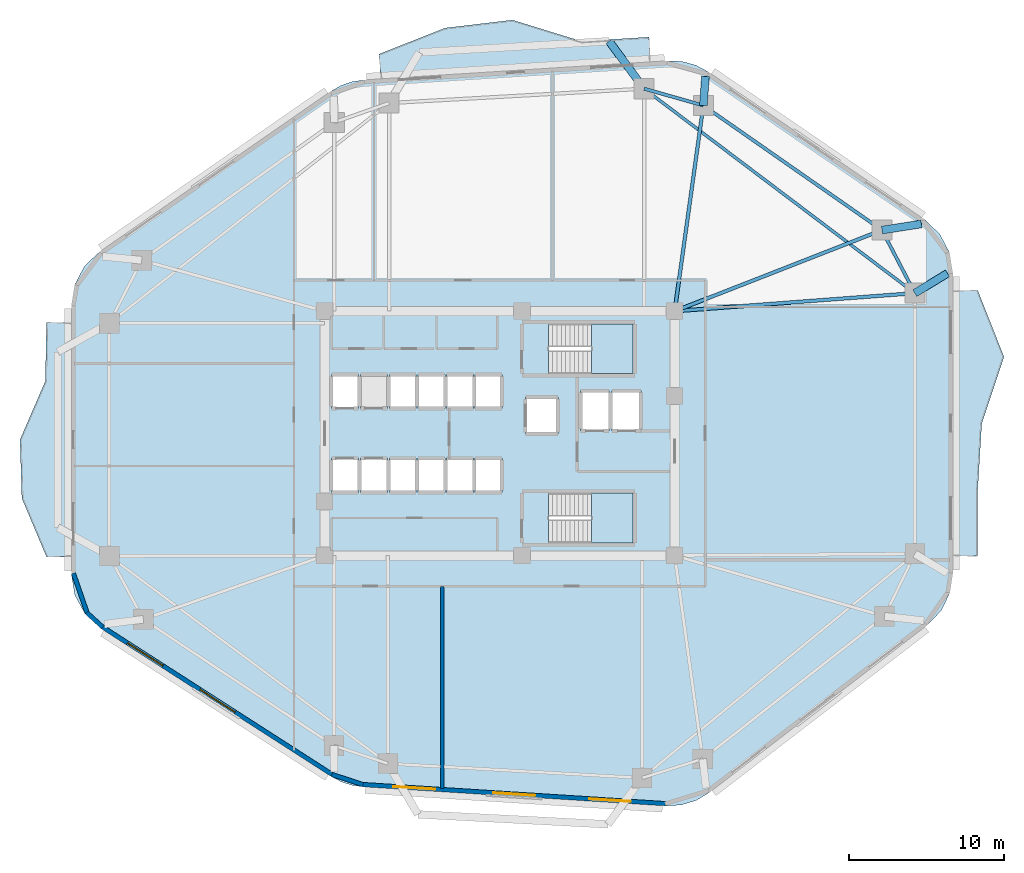
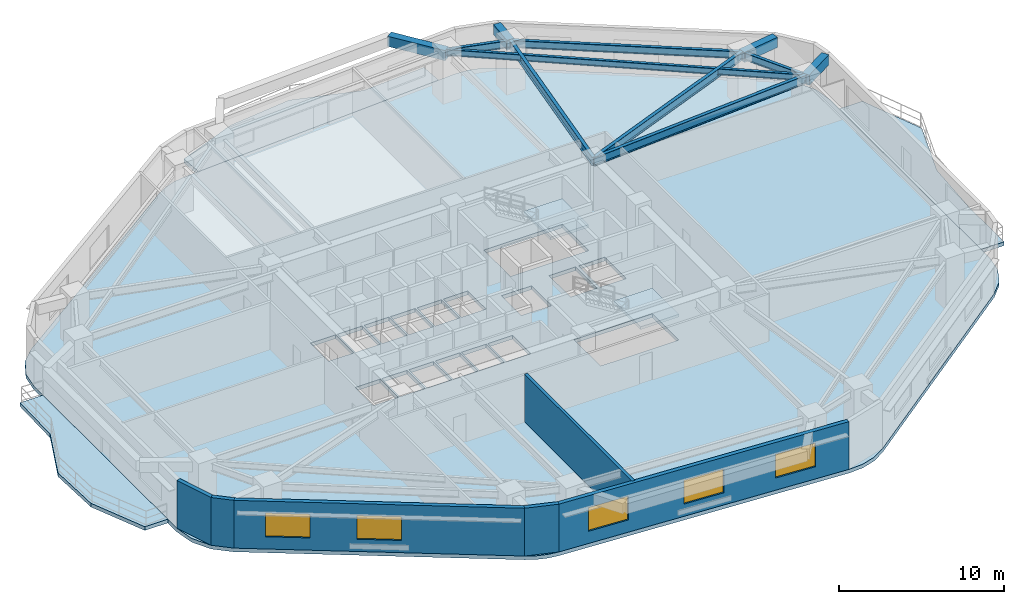
# One storey, part 2 of 10: 11 beams, 6 slabs, 6 walls, 5 windows, 5 openings, 2 elements without a shape of their own.
"""IFC4 building model written with IfcOpenShell, lengths in metres."""

from ifc_helpers import new_model, si_unit, direction, frame, frame_2d, origin, origin_2d, place, context, subcontext, project, spatial, polyline, rectangle, i_section, outline, extrude, material, layer, layer_set, material_profile, profile_set, type_object, element, fill, aggregate, save


model = new_model("IFC4")

# Units and contexts
model_context = context("Model", 3, precision=1e-05, world=origin(), true_north=direction((0.0, 1.0)))
body_context = subcontext(model_context, "Body", "Model", "MODEL_VIEW")
ifc_project = project(units=[si_unit("LENGTHUNIT", "METRE"), si_unit("AREAUNIT", "SQUARE_METRE"), si_unit("VOLUMEUNIT", "CUBIC_METRE"), si_unit("PLANEANGLEUNIT", "RADIAN"), si_unit("MASSUNIT", "GRAM", prefix="KILO")], contexts=[model_context])

# Site, building, storey
site_placement = place(None, origin())
site = spatial("IfcSite", under=ifc_project, at=site_placement, CompositionType="ELEMENT")
building_placement = place(site_placement, origin())
building = spatial("IfcBuilding", under=site, at=building_placement, Name="Zulverin Broadcast Headquarters", CompositionType="ELEMENT")
storey_placement = place(building_placement, frame((0.0, 0.0, 36.39990234375)))
storey = spatial("IfcBuildingStorey", under=building, at=storey_placement, Name="L08", CompositionType="ELEMENT", Elevation=36.39990234375)

# Beams
ifc_material_1 = material(Name="Concrete C40/50", Category="concrete")
ifc_material_profile_1 = material_profile(ifc_material_1, rectangle(XDim=0.5, YDim=0.75, at=origin_2d()), Name="Concrete C40/50", Category="concrete")
ifc_profile_set_1 = profile_set([ifc_material_profile_1], Name="Concrete C40/50")
beam_type_1 = type_object("IfcBeamType", Name="BM-RC-500x750", PredefinedType="BEAM", material=ifc_profile_set_1)
beam_1_placement = place(storey_placement, frame((63.75, 34.235107421875, 3.150146484375), z_axis=(0.854022127196, 0.520236682924, 0.0), x_axis=(-0.520236682924, 0.854022127196, 0.0)))
element("IfcBeam", 1, at=beam_1_placement, inside=storey, type_object=beam_type_1, Name="L09 Plate Overhang Back-Spanned Beam OVR-06", PredefinedType="BEAM", context=body_context, shape_type="SweptSolid", body=[
    extrude(rectangle(XDim=0.5, YDim=0.75, at=origin_2d()), origin(), (0.0, 0.0, 1.0), 2.458984375),
])
beam_2_placement = place(storey_placement, frame((61.630126953125, 38.298583984375, 3.150146484375), z_axis=(0.988133444256, 0.153597839639, 0.0), x_axis=(-0.153597839639, 0.988133444256, 0.0)))
element("IfcBeam", 2, at=beam_2_placement, inside=storey, type_object=beam_type_1, Name="L09 Plate Overhang Back-Spanned Beam OVR-07", PredefinedType="BEAM", context=body_context, shape_type="SweptSolid", body=[
    extrude(rectangle(XDim=0.5, YDim=0.75, at=origin_2d()), origin(), (0.0, 0.0, 1.0), 2.57177734375),
])
beam_3_placement = place(storey_placement, frame((50.121826171875, 46.325927734375, 3.150146484375), z_axis=(0.073023006252, 0.997330256514, 0.0), x_axis=(-0.997330256514, 0.073023006252, 0.0)))
element("IfcBeam", 3, at=beam_3_placement, inside=storey, type_object=beam_type_1, Name="L09 Plate Overhang Back-Spanned Beam OVR-08", PredefinedType="BEAM", context=body_context, shape_type="SweptSolid", body=[
    extrude(rectangle(XDim=0.5, YDim=0.75, at=origin_2d()), origin(), (0.0, 0.0, 1.0), 1.875732421875),
])
beam_4_placement = place(storey_placement, frame((46.30224609375, 47.4091796875, 3.150146484375), z_axis=(-0.592925064887, 0.805257640404, 0.0), x_axis=(-0.805257640404, -0.592925064887, 0.0)))
element("IfcBeam", 4, at=beam_4_placement, inside=storey, type_object=beam_type_1, Name="L09 Balcony Column-Framed Cantilever BAL_N-1", PredefinedType="BEAM", context=body_context, shape_type="SweptSolid", body=[
    extrude(rectangle(XDim=0.5, YDim=0.75, at=origin_2d()), origin(), (0.0, 0.0, 1.0), 3.800048828125),
])
ifc_material_2 = material(Name="Structural steel S355JR", Category="steel")
ifc_material_profile_2 = material_profile(ifc_material_2, i_section(OverallWidth=0.19287109375, OverallDepth=0.46728515625, WebThickness=0.011474609375, FlangeThickness=0.01953125, at=origin_2d()), Name="Structural steel S355JR", Category="steel")
ifc_profile_set_2 = profile_set([ifc_material_profile_2], Name="Structural steel S355JR")
beam_type_2 = type_object("IfcBeamType", Name="BM-UB-457", PredefinedType="JOIST", material=ifc_profile_set_2)
beam_5_placement = place(storey_placement, frame((63.75, 34.235107421875, 3.29150390625), z_axis=(-0.798058136838, 0.602580459546, 0.0), x_axis=(-0.602580459546, -0.798058136838, 0.0)))
element("IfcBeam", 5, at=beam_5_placement, inside=storey, type_object=beam_type_2, Name="L08 Chordal Floor Joist J-02", PredefinedType="JOIST", context=body_context, shape_type="SweptSolid", body=[
    extrude(i_section(OverallWidth=0.19287109375, OverallDepth=0.46728515625, WebThickness=0.011474609375, FlangeThickness=0.01953125, at=origin_2d()), origin(), (0.0, 0.0, 1.0), 21.86279296875),
])
ifc_material_profile_3 = material_profile(ifc_material_2, i_section(OverallWidth=0.2119140625, OverallDepth=0.54443359375, WebThickness=0.0126953125, FlangeThickness=0.021240234375, at=origin_2d()), Name="Structural steel S355JR", Category="steel")
ifc_profile_set_3 = profile_set([ifc_material_profile_3], Name="Structural steel S355JR")
beam_type_3 = type_object("IfcBeamType", Name="BM-UB-533", PredefinedType="SPANDREL", material=ifc_profile_set_3)
beam_6_placement = place(storey_placement, frame((63.75, 34.235107421875, 3.252685546875), z_axis=(-0.462531417359, 0.886602891917, 0.0), x_axis=(-0.886602891917, -0.462531417359, 0.0)))
element("IfcBeam", 6, at=beam_6_placement, inside=storey, type_object=beam_type_3, Name="L08 Perimeter Spandrel Beam SP-06", PredefinedType="SPANDREL", context=body_context, shape_type="SweptSolid", body=[
    extrude(i_section(OverallWidth=0.2119140625, OverallDepth=0.54443359375, WebThickness=0.0126953125, FlangeThickness=0.021240234375, at=origin_2d()), origin(), (0.0, 0.0, 1.0), 4.583251953125),
])
beam_7_placement = place(storey_placement, frame((61.630126953125, 38.298583984375, 3.252685546875), z_axis=(-0.820183915206, 0.5720999434, 0.0), x_axis=(-0.5720999434, -0.820183915206, 0.0)))
element("IfcBeam", 7, at=beam_7_placement, inside=storey, type_object=beam_type_3, Name="L08 Perimeter Spandrel Beam SP-07", PredefinedType="SPANDREL", context=body_context, shape_type="SweptSolid", body=[
    extrude(i_section(OverallWidth=0.2119140625, OverallDepth=0.54443359375, WebThickness=0.0126953125, FlangeThickness=0.021240234375, at=origin_2d()), origin(), (0.0, 0.0, 1.0), 14.03125),
])
beam_8_placement = place(storey_placement, frame((50.121826171875, 46.325927734375, 3.252685546875), z_axis=(-0.962058150721, 0.272844487999, 0.0), x_axis=(-0.272844487999, -0.962058150721, 0.0)))
element("IfcBeam", 8, at=beam_8_placement, inside=storey, type_object=beam_type_3, Name="L08 Perimeter Spandrel Beam SP-08", PredefinedType="SPANDREL", context=body_context, shape_type="SweptSolid", body=[
    extrude(i_section(OverallWidth=0.2119140625, OverallDepth=0.54443359375, WebThickness=0.0126953125, FlangeThickness=0.021240234375, at=origin_2d()), origin(), (0.0, 0.0, 1.0), 3.97021484375),
])
ifc_material_profile_4 = material_profile(ifc_material_2, i_section(OverallWidth=0.230224609375, OverallDepth=0.6171875, WebThickness=0.01318359375, FlangeThickness=0.022216796875, at=origin_2d()), Name="Structural steel S355JR", Category="steel")
ifc_profile_set_4 = profile_set([ifc_material_profile_4], Name="Structural steel S355JR")
beam_type_4 = type_object("IfcBeamType", Name="BM-UB-610", PredefinedType="BEAM", material=ifc_profile_set_4)
beam_9_placement = place(storey_placement, frame((48.27490234375, 33.074951171875, 3.216552734375), z_axis=(0.997201597387, 0.074759442003, 0.0), x_axis=(-0.074759442003, 0.997201597387, 0.0)))
element("IfcBeam", 9, at=beam_9_placement, inside=storey, type_object=beam_type_4, Name="L08 Radial Primary Floor Beam RB-06", PredefinedType="BEAM", context=body_context, shape_type="SweptSolid", body=[
    extrude(i_section(OverallWidth=0.230224609375, OverallDepth=0.6171875, WebThickness=0.01318359375, FlangeThickness=0.022216796875, at=origin_2d()), origin(), (0.0, 0.0, 1.0), 15.5185546875),
])
beam_10_placement = place(storey_placement, frame((48.27490234375, 33.074951171875, 3.216552734375), z_axis=(0.931297778153, 0.364258765723, 0.0), x_axis=(-0.364258765723, 0.931297778153, 0.0)))
element("IfcBeam", 10, at=beam_10_placement, inside=storey, type_object=beam_type_4, Name="L08 Radial Primary Floor Beam RB-07", PredefinedType="BEAM", context=body_context, shape_type="SweptSolid", body=[
    extrude(i_section(OverallWidth=0.230224609375, OverallDepth=0.6171875, WebThickness=0.01318359375, FlangeThickness=0.022216796875, at=origin_2d()), origin(), (0.0, 0.0, 1.0), 14.34033203125),
])
beam_11_placement = place(storey_placement, frame((48.27490234375, 33.074951171875, 3.216552734375), z_axis=(0.138045758193, 0.990425852169, 0.0), x_axis=(-0.990425852169, 0.138045758193, 0.0)))
element("IfcBeam", 11, at=beam_11_placement, inside=storey, type_object=beam_type_4, Name="L08 Radial Primary Floor Beam RB-08", PredefinedType="BEAM", context=body_context, shape_type="SweptSolid", body=[
    extrude(i_section(OverallWidth=0.230224609375, OverallDepth=0.6171875, WebThickness=0.01318359375, FlangeThickness=0.022216796875, at=origin_2d()), origin(), (0.0, 0.0, 1.0), 13.379150390625),
])

# Slabs
ifc_layer_1 = layer(ifc_material_1, 0.27490234375, Name="Concrete C40/50", Category="concrete")
ifc_layer_set_1 = layer_set([ifc_layer_1], Name="Concrete C40/50")
slab_type_1 = type_object("IfcSlabType", Name="SLB-BAL-275", PredefinedType="FLOOR", material=ifc_layer_set_1)
slab_1_placement = place(storey_placement, frame((0.0, 0.0, -0.27490234375)))
element("IfcSlab", 12, at=slab_1_placement, inside=storey, type_object=slab_type_1, Name="L08 Cantilevered Planted Balcony Slab BAL_E", PredefinedType="FLOOR", context=body_context, shape_type="SweptSolid", body=[
    extrude(outline(polyline([(66.199951171875, 34.41455078125), (66.199951171875, 17.283447265625), (67.800048828125, 17.283447265625), (67.800048828125, 21.566162109375), (68.05908203125, 25.848876953125), (69.493408203125, 30.131591796875), (67.800048828125, 34.41455078125), (66.199951171875, 34.41455078125)])), origin(), (0.0, 0.0, 1.0), 0.27490234375),
])
slab_2_placement = place(storey_placement, frame((0.0, 0.0, -0.27490234375)))
element("IfcSlab", 13, at=slab_2_placement, inside=storey, type_object=slab_type_1, Name="L08 Cantilevered Planted Balcony Slab BAL_N", PredefinedType="FLOOR", context=body_context, shape_type="SweptSolid", body=[
    extrude(outline(polyline([(29.330078125, 48.04296875), (46.72509765625, 49.139892578125), (46.62451171875, 50.73681640625), (42.275634765625, 50.46240234375), (37.8232421875, 51.8349609375), (33.489501953125, 51.322998046875), (29.2294921875, 49.639892578125), (29.330078125, 48.04296875)])), origin(), (0.0, 0.0, 1.0), 0.27490234375),
])
slab_3_placement = place(storey_placement, frame((0.0, 0.0, -0.27490234375)))
element("IfcSlab", 14, at=slab_3_placement, inside=storey, type_object=slab_type_1, Name="L08 Cantilevered Planted Balcony Slab BAL_W", PredefinedType="FLOOR", context=body_context, shape_type="SweptSolid", body=[
    extrude(outline(polyline([(9.39990234375, 17.24365234375), (9.39990234375, 32.344482421875), (7.800048828125, 32.344482421875), (7.7255859375, 28.569091796875), (6.092529296875, 24.7939453125), (6.21240234375, 21.018798828125), (7.800048828125, 17.24365234375), (9.39990234375, 17.24365234375)])), origin(), (0.0, 0.0, 1.0), 0.27490234375),
])

# Stair, slab
stair_type = type_object("IfcStairType", Name="ST-CORE-1500", PredefinedType="HALF_TURN_STAIR", material=ifc_material_1)
stair_1_placement = place(storey_placement, origin())
stair_1 = element("IfcStair", 15, at=stair_1_placement, inside=storey, type_object=stair_type, Name="L08 Core Exit Stair ST-1", PredefinedType="HALF_TURN_STAIR")
ifc_layer_2 = layer(ifc_material_1, 0.199951171875, Name="Concrete C40/50", Category="concrete")
ifc_layer_set_2 = layer_set([ifc_layer_2], Name="Concrete C40/50")
slab_type_2 = type_object("IfcSlabType", Name="SLB-ST-LND200", PredefinedType="LANDING", material=ifc_layer_set_2)
slab_4_placement = place(storey_placement, frame((0.0, 0.0, 1.7001953125)))
slab_4 = element("IfcSlab", 16, at=slab_4_placement, type_object=slab_type_2, Name="ST-1 landing 1", PredefinedType="LANDING", context=body_context, shape_type="SweptSolid", body=[
    extrude(outline(polyline([(42.929931640625, 29.050048828125), (45.60009765625, 29.050048828125), (45.60009765625, 32.25), (42.929931640625, 32.25), (42.929931640625, 29.050048828125)])), origin(), (0.0, 0.0, 1.0), 0.199951171875),
])
aggregate(stair_1, [slab_4])

stair_2_placement = place(storey_placement, origin())
stair_2 = element("IfcStair", 17, at=stair_2_placement, inside=storey, type_object=stair_type, Name="L08 Core Exit Stair ST-2", PredefinedType="HALF_TURN_STAIR")
slab_5_placement = place(storey_placement, frame((0.0, 0.0, 1.7001953125)))
slab_5 = element("IfcSlab", 18, at=slab_5_placement, type_object=slab_type_2, Name="ST-2 landing 1", PredefinedType="LANDING", context=body_context, shape_type="SweptSolid", body=[
    extrude(outline(polyline([(42.929931640625, 18.14990234375), (45.60009765625, 18.14990234375), (45.60009765625, 21.35009765625), (42.929931640625, 21.35009765625), (42.929931640625, 18.14990234375)])), origin(), (0.0, 0.0, 1.0), 0.199951171875),
])
aggregate(stair_2, [slab_5])

# Slab
ifc_layer_3 = layer(ifc_material_1, 0.27490234375, Name="Concrete C40/50", Category="concrete")
ifc_layer_set_3 = layer_set([ifc_layer_3], Name="Concrete C40/50")
slab_type_3 = type_object("IfcSlabType", Name="SLB-TWR-275", PredefinedType="FLOOR", material=ifc_layer_set_3)
slab_6_placement = place(storey_placement, frame((0.0, 0.0, -0.27490234375)))
element("IfcSlab", 19, at=slab_6_placement, inside=storey, type_object=slab_type_3, Name="L08 Main Structural Floor Slab", PredefinedType="FLOOR", context=body_context, shape_type="SweptSolid", body=[
    extrude(outline(polyline([(26.146484375, 3.089599609375), (26.774658203125, 2.75732421875), (27.44970703125, 2.535888671875), (28.152587890625, 2.431396484375), (47.690673828125, 1.19921875), (48.69189453125, 1.256103515625), (49.6513671875, 1.548828125), (50.51416015625, 2.060546875), (64.55908203125, 12.85302734375), (65.44140625, 13.77587890625), (66.005859375, 14.92138671875), (66.199951171875, 16.183349609375), (66.199951171875, 35.514404296875), (65.981689453125, 36.85107421875), (65.349365234375, 38.048583984375), (64.368896484375, 38.982666015625), (50.456298828125, 48.485595703125), (49.639404296875, 48.920166015625), (48.747314453125, 49.165283203125), (47.822998046875, 49.208984375), (28.232421875, 47.9736328125), (27.481201171875, 47.857421875), (26.76318359375, 47.607666015625), (26.102294921875, 47.232666015625), (11.20556640625, 36.89501953125), (10.238037109375, 35.9619140625), (9.614990234375, 34.77099609375), (9.39990234375, 33.4443359375), (9.39990234375, 16.1435546875), (9.631103515625, 14.769775390625), (10.298583984375, 13.547119140625), (11.32958984375, 12.610107421875), (26.146484375, 3.089599609375)]), holes=[polyline([(40.155029296875, 30.75), (40.130126953125, 30.75), (40.130126953125, 32.25), (45.60009765625, 32.25), (45.60009765625, 29.050048828125), (40.155029296875, 29.050048828125), (40.155029296875, 30.75)]), polyline([(40.155029296875, 19.85009765625), (40.130126953125, 19.85009765625), (40.130126953125, 21.35009765625), (45.60009765625, 21.35009765625), (45.60009765625, 18.14990234375), (40.155029296875, 18.14990234375), (40.155029296875, 19.85009765625)]), polyline([(26.14990234375, 26.800048828125), (27.89990234375, 26.800048828125), (27.89990234375, 29.0), (26.14990234375, 29.0), (26.14990234375, 26.800048828125)]), polyline([(28.02001953125, 26.800048828125), (29.77001953125, 26.800048828125), (29.77001953125, 29.0), (28.02001953125, 29.0), (28.02001953125, 26.800048828125)]), polyline([(26.14990234375, 21.39990234375), (27.89990234375, 21.39990234375), (27.89990234375, 23.60009765625), (26.14990234375, 23.60009765625), (26.14990234375, 21.39990234375)]), polyline([(28.02001953125, 21.39990234375), (29.77001953125, 21.39990234375), (29.77001953125, 23.60009765625), (28.02001953125, 23.60009765625), (28.02001953125, 21.39990234375)]), polyline([(29.89990234375, 21.39990234375), (31.6201171875, 21.39990234375), (31.6201171875, 23.60009765625), (29.89990234375, 23.60009765625), (29.89990234375, 21.39990234375)]), polyline([(31.739990234375, 21.39990234375), (33.4599609375, 21.39990234375), (33.4599609375, 23.60009765625), (31.739990234375, 23.60009765625), (31.739990234375, 21.39990234375)]), polyline([(33.580078125, 21.39990234375), (35.300048828125, 21.39990234375), (35.300048828125, 23.60009765625), (33.580078125, 23.60009765625), (33.580078125, 21.39990234375)]), polyline([(35.419921875, 21.39990234375), (37.139892578125, 21.39990234375), (37.139892578125, 23.60009765625), (35.419921875, 23.60009765625), (35.419921875, 21.39990234375)]), polyline([(29.89990234375, 26.800048828125), (31.6201171875, 26.800048828125), (31.6201171875, 29.0), (29.89990234375, 29.0), (29.89990234375, 26.800048828125)]), polyline([(31.739990234375, 26.800048828125), (33.4599609375, 26.800048828125), (33.4599609375, 29.0), (31.739990234375, 29.0), (31.739990234375, 26.800048828125)]), polyline([(33.580078125, 26.800048828125), (35.300048828125, 26.800048828125), (35.300048828125, 29.0), (33.580078125, 29.0), (33.580078125, 26.800048828125)]), polyline([(35.419921875, 26.800048828125), (37.139892578125, 26.800048828125), (37.139892578125, 29.0), (35.419921875, 29.0), (35.419921875, 26.800048828125)]), polyline([(42.199951171875, 25.35009765625), (44.050048828125, 25.35009765625), (44.050048828125, 27.949951171875), (42.199951171875, 27.949951171875), (42.199951171875, 25.35009765625)]), polyline([(44.25, 25.35009765625), (46.10009765625, 25.35009765625), (46.10009765625, 27.949951171875), (44.25, 27.949951171875), (44.25, 25.35009765625)]), polyline([(38.64990234375, 25.14990234375), (40.75, 25.14990234375), (40.75, 27.550048828125), (38.64990234375, 27.550048828125), (38.64990234375, 25.14990234375)])]), origin(), (0.0, 0.0, 1.0), 0.27490234375),
])

# Wall
ifc_material_3 = material(Name="Acoustic drywall steel stud", Category="steel")
ifc_layer_4 = layer(ifc_material_3, 0.199951171875, Name="Acoustic drywall steel stud", Category="steel")
ifc_layer_set_4 = layer_set([ifc_layer_4], Name="Acoustic drywall steel stud")
wall_type_1 = type_object("IfcWallType", Name="WL-ACOU-200", PredefinedType="PARTITIONING", material=ifc_layer_set_4)
wall_1_placement = place(storey_placement, frame((33.300048828125, 2.311767578125, 0.0), z_axis=(0.0, 0.0, 1.0), x_axis=(0.0, 1.0, 0.0)))
element("IfcWall", 20, at=wall_1_placement, inside=storey, type_object=wall_type_1, Name="L08 Room Partition Wall RP-03", PredefinedType="PARTITIONING", context=body_context, shape_type="SweptSolid", body=[
    extrude(rectangle(XDim=13.038330078125, YDim=0.199951171875, at=frame_2d((6.51904296875, 0.0))), origin(), (0.0, 0.0, 1.0), 3.525146484375),
])

# Wall, openings, windows
ifc_material_4 = material(Name="Insulated pale-metal clad concrete spandrel C40/50", Category="concrete")
ifc_layer_5 = layer(ifc_material_4, 0.280029296875, Name="Insulated pale-metal clad concrete spandrel C40/50", Category="concrete")
ifc_layer_set_5 = layer_set([ifc_layer_5], Name="Insulated pale-metal clad concrete spandrel C40/50")
wall_type_2 = type_object("IfcWallType", Name="WL-EXT-280", PredefinedType="STANDARD", material=ifc_layer_set_5)
wall_2_placement = place(storey_placement, frame((28.161376953125, 2.571044921875, 0.0), z_axis=(0.0, 0.0, 1.0), x_axis=(0.998017288298, -0.06294038654, 0.0)))
wall_2 = element("IfcWall", 21, at=wall_2_placement, inside=storey, type_object=wall_type_2, Name="L08 Pale-Metal Clad Spandrel Wall 1", PredefinedType="STANDARD", context=body_context, shape_type="SweptSolid", body=[
    extrude(rectangle(XDim=19.576904296875, YDim=0.280029296875, at=frame_2d((9.78857421875, 0.0))), origin(), (0.0, 0.0, 1.0), 3.525146484375),
])
opening_1_placement = place(wall_2_placement, frame((1.99609375, 0.0, 0.89990234375)))
opening_1 = element("IfcOpeningElement", 22, at=opening_1_placement, cuts=wall_2, Name="Opening W-L08-E11", PredefinedType="OPENING", context=body_context, shape_type="SweptSolid", body=[
    extrude(rectangle(XDim=2.699951171875, YDim=1.75, at=frame_2d((1.35009765625, 0.875))), frame((0.0, 0.14990234375, 0.0), z_axis=(0.0, -1.0, 0.0), x_axis=(1.0, 0.0, 0.0)), (0.0, 0.0, 1.0), 0.300048828125),
])
opening_2_placement = place(wall_2_placement, frame((8.4384765625, 0.0, 0.89990234375)))
opening_2 = element("IfcOpeningElement", 23, at=opening_2_placement, cuts=wall_2, Name="Opening W-L08-E12", PredefinedType="OPENING", context=body_context, shape_type="SweptSolid", body=[
    extrude(rectangle(XDim=2.699951171875, YDim=1.75, at=frame_2d((1.35009765625, 0.875))), frame((0.0, 0.14990234375, 0.0), z_axis=(0.0, -1.0, 0.0), x_axis=(1.0, 0.0, 0.0)), (0.0, 0.0, 1.0), 0.300048828125),
])
opening_3_placement = place(wall_2_placement, frame((14.630859375, 0.0, 0.89990234375)))
opening_3 = element("IfcOpeningElement", 24, at=opening_3_placement, cuts=wall_2, Name="Opening W-L08-E13", PredefinedType="OPENING", context=body_context, shape_type="SweptSolid", body=[
    extrude(rectangle(XDim=2.699951171875, YDim=1.75, at=frame_2d((1.35009765625, 0.875))), frame((0.0, 0.14990234375, 0.0), z_axis=(0.0, -1.0, 0.0), x_axis=(1.0, 0.0, 0.0)), (0.0, 0.0, 1.0), 0.300048828125),
])
ifc_material_5 = material(Name="Pale anodized aluminium frame with solar-control low-E double glazing", Category="aluminium")
window_type = type_object("IfcWindowType", Name="WIN-TWR-2700", PartitioningType="SINGLE_PANEL", PredefinedType="WINDOW", material=ifc_material_5)
window_1_placement = place(opening_1_placement, origin())
window_1 = element("IfcWindow", 25, at=window_1_placement, inside=storey, type_object=window_type, Name="L08 Ribbon Glazing Window 1 1", OverallHeight=1.75, OverallWidth=2.699951171875, PartitioningType="SINGLE_PANEL", PredefinedType="WINDOW", context=body_context, shape_type="SweptSolid", body=[
    extrude(rectangle(XDim=2.699951171875, YDim=1.75, at=frame_2d((1.35009765625, 0.875))), frame((0.0, 0.030029296875, 0.0), z_axis=(0.0, -1.0, 0.0), x_axis=(1.0, 0.0, 0.0)), (0.0, 0.0, 1.0), 0.06005859375),
])
fill(opening_1, window_1)
window_2_placement = place(opening_2_placement, origin())
window_2 = element("IfcWindow", 26, at=window_2_placement, inside=storey, type_object=window_type, Name="L08 Ribbon Glazing Window 1 2", OverallHeight=1.75, OverallWidth=2.699951171875, PartitioningType="SINGLE_PANEL", PredefinedType="WINDOW", context=body_context, shape_type="SweptSolid", body=[
    extrude(rectangle(XDim=2.699951171875, YDim=1.75, at=frame_2d((1.35009765625, 0.875))), frame((0.0, 0.030029296875, 0.0), z_axis=(0.0, -1.0, 0.0), x_axis=(1.0, 0.0, 0.0)), (0.0, 0.0, 1.0), 0.06005859375),
])
fill(opening_2, window_2)
window_3_placement = place(opening_3_placement, origin())
window_3 = element("IfcWindow", 27, at=window_3_placement, inside=storey, type_object=window_type, Name="L08 Ribbon Glazing Window 1 3", OverallHeight=1.75, OverallWidth=2.699951171875, PartitioningType="SINGLE_PANEL", PredefinedType="WINDOW", context=body_context, shape_type="SweptSolid", body=[
    extrude(rectangle(XDim=2.699951171875, YDim=1.75, at=frame_2d((1.35009765625, 0.875))), frame((0.0, 0.030029296875, 0.0), z_axis=(0.0, -1.0, 0.0), x_axis=(1.0, 0.0, 0.0)), (0.0, 0.0, 1.0), 0.06005859375),
])
fill(opening_3, window_3)

wall_3_placement = place(storey_placement, frame((11.4052734375, 12.727783203125, 0.0), z_axis=(0.0, 0.0, 1.0), x_axis=(0.841304564637, -0.540561402175, 0.0)))
wall_3 = element("IfcWall", 28, at=wall_3_placement, inside=storey, type_object=wall_type_2, Name="L08 Pale-Metal Clad Spandrel Wall 8", PredefinedType="STANDARD", context=body_context, shape_type="SweptSolid", body=[
    extrude(rectangle(XDim=17.61181640625, YDim=0.280029296875, at=frame_2d((8.805908203125, 0.0))), origin(), (0.0, 0.0, 1.0), 3.525146484375),
])
opening_4_placement = place(wall_3_placement, frame((1.918701171875, 0.0, 0.89990234375)))
opening_4 = element("IfcOpeningElement", 29, at=opening_4_placement, cuts=wall_3, Name="Opening W-L08-E81", PredefinedType="OPENING", context=body_context, shape_type="SweptSolid", body=[
    extrude(rectangle(XDim=2.699951171875, YDim=1.75, at=frame_2d((1.35009765625, 0.875))), frame((0.0, 0.14990234375, 0.0), z_axis=(0.0, -1.0, 0.0), x_axis=(1.0, 0.0, 0.0)), (0.0, 0.0, 1.0), 0.300048828125),
])
opening_5_placement = place(wall_3_placement, frame((7.455810546875, 0.0, 0.89990234375)))
opening_5 = element("IfcOpeningElement", 30, at=opening_5_placement, cuts=wall_3, Name="Opening W-L08-E82", PredefinedType="OPENING", context=body_context, shape_type="SweptSolid", body=[
    extrude(rectangle(XDim=2.699951171875, YDim=1.75, at=frame_2d((1.35009765625, 0.875))), frame((0.0, 0.14990234375, 0.0), z_axis=(0.0, -1.0, 0.0), x_axis=(1.0, 0.0, 0.0)), (0.0, 0.0, 1.0), 0.300048828125),
])
window_4_placement = place(opening_4_placement, origin())
window_4 = element("IfcWindow", 31, at=window_4_placement, inside=storey, type_object=window_type, Name="L08 Ribbon Glazing Window 8 1", OverallHeight=1.75, OverallWidth=2.699951171875, PartitioningType="SINGLE_PANEL", PredefinedType="WINDOW", context=body_context, shape_type="SweptSolid", body=[
    extrude(rectangle(XDim=2.699951171875, YDim=1.75, at=frame_2d((1.35009765625, 0.875))), frame((0.0, 0.030029296875, 0.0), z_axis=(0.0, -1.0, 0.0), x_axis=(1.0, 0.0, 0.0)), (0.0, 0.0, 1.0), 0.06005859375),
])
fill(opening_4, window_4)
window_5_placement = place(opening_5_placement, origin())
window_5 = element("IfcWindow", 32, at=window_5_placement, inside=storey, type_object=window_type, Name="L08 Ribbon Glazing Window 8 2", OverallHeight=1.75, OverallWidth=2.699951171875, PartitioningType="SINGLE_PANEL", PredefinedType="WINDOW", context=body_context, shape_type="SweptSolid", body=[
    extrude(rectangle(XDim=2.699951171875, YDim=1.75, at=frame_2d((1.35009765625, 0.875))), frame((0.0, 0.030029296875, 0.0), z_axis=(0.0, -1.0, 0.0), x_axis=(1.0, 0.0, 0.0)), (0.0, 0.0, 1.0), 0.06005859375),
])
fill(opening_5, window_5)

# Walls
wall_4_placement = place(storey_placement, frame((9.5322265625, 16.189453125, 0.0), z_axis=(0.0, 0.0, 1.0), x_axis=(0.32708309668, -0.944995580871, 0.0)))
element("IfcWall", 33, at=wall_4_placement, inside=storey, type_object=wall_type_2, Name="L08 Wind-Shaped Corner Spandrel Wall 7-1", PredefinedType="STANDARD", context=body_context, shape_type="SweptSolid", body=[
    extrude(rectangle(XDim=2.74755859375, YDim=0.280029296875, at=frame_2d((1.373779296875, 0.0))), origin(), (0.0, 0.0, 1.0), 3.525146484375),
])
wall_5_placement = place(storey_placement, frame((10.392822265625, 13.650634765625, 0.0), z_axis=(0.0, 0.0, 1.0), x_axis=(0.74003521851, -0.672568119498, 0.0)))
element("IfcWall", 34, at=wall_5_placement, inside=storey, type_object=wall_type_2, Name="L08 Wind-Shaped Corner Spandrel Wall 7-2", PredefinedType="STANDARD", context=body_context, shape_type="SweptSolid", body=[
    extrude(rectangle(XDim=1.39306640625, YDim=0.280029296875, at=frame_2d((0.696533203125, 0.0))), origin(), (0.0, 0.0, 1.0), 3.525146484375),
])
wall_6_placement = place(storey_placement, frame((26.18994140625, 3.22265625, 0.0), z_axis=(0.0, 0.0, 1.0), x_axis=(0.95016442175, -0.311749212734, 0.0)))
element("IfcWall", 35, at=wall_6_placement, inside=storey, type_object=wall_type_2, Name="L08 Wind-Shaped Corner Spandrel Wall 8-1", PredefinedType="STANDARD", context=body_context, shape_type="SweptSolid", body=[
    extrude(rectangle(XDim=2.111328125, YDim=0.280029296875, at=frame_2d((1.0556640625, 0.0))), origin(), (0.0, 0.0, 1.0), 3.525146484375),
])

save(model, "model.ifc")
